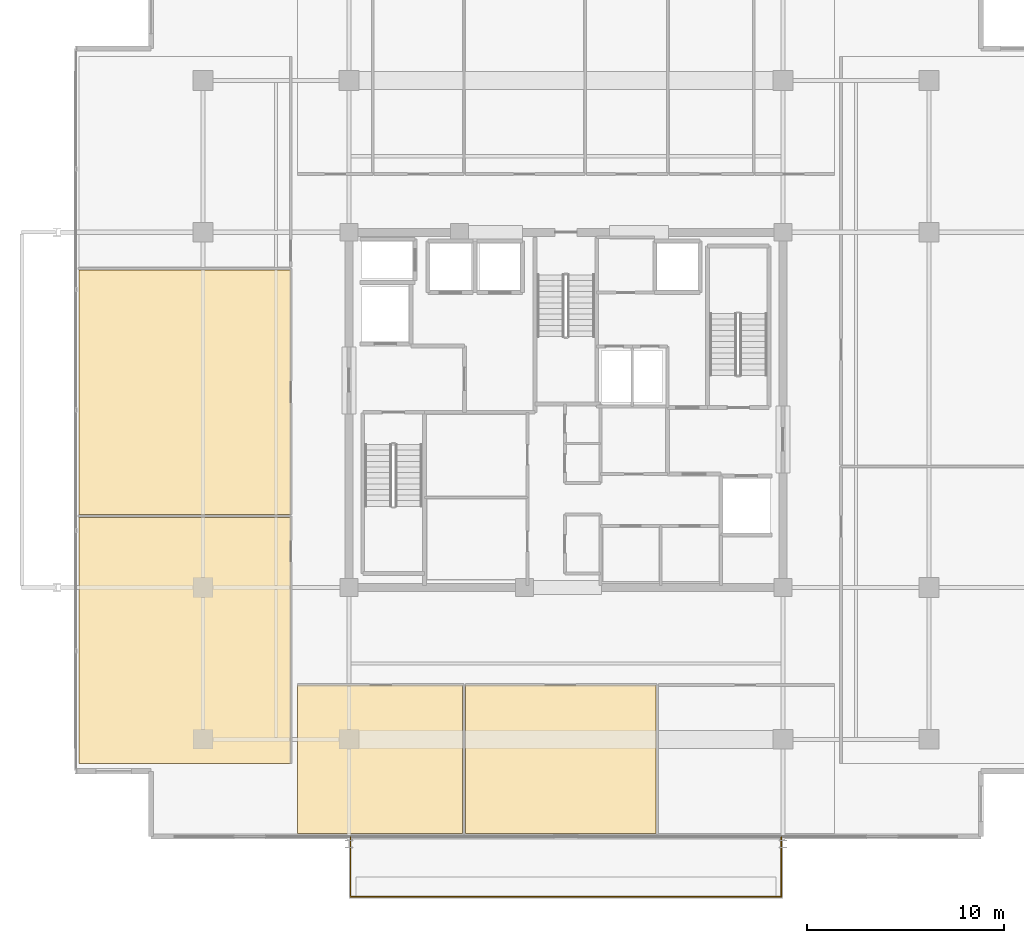
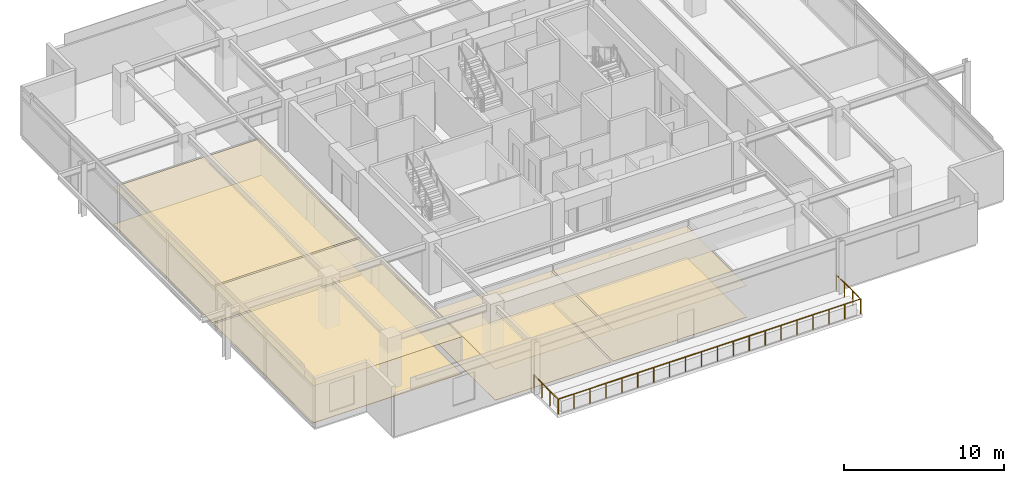
# One storey, part 18 of 21: 8 coverings, 1 railing.
"""IFC4 building model written with IfcOpenShell, lengths in metres."""

import ifcopenshell
import ifcopenshell.guid

model = None  # the IFC model being written
_history = None  # IfcOwnerHistory: only IFC2X3 demands one
_inside = {}  # id of a spatial element -> (the spatial element, [elements in it])
_under = {}  # id of a project, library or spatial element -> (it, [spatial elements below it])
_declared = {}  # id of a project -> (the project, [libraries it declares])
_typed = {}  # id of a type object -> (the type object, [elements of that type])
_made_of = {}  # id of a material, layer set ... -> (it, [elements and type objects made of it])


def new_model(schema):
    """Start an empty IFC model of exactly this schema.

    Asked for "IFC4X3", IfcOpenShell would pick the latest addendum, in which some entities
    have other attributes; the version numbers below select the first issue.
    IFC2X3 requires an IfcOwnerHistory on every rooted entity: one is made here for all.
    """
    global model, _history
    if schema == "IFC4X3":
        model = ifcopenshell.file(schema_version=(4, 3, 0, 0))
    else:
        model = ifcopenshell.file(schema=schema)
    _inside.clear()
    _under.clear()
    _declared.clear()
    _typed.clear()
    _made_of.clear()
    _history = None
    if model.schema == "IFC2X3":
        org = make("IfcOrganization", Name="unknown")
        user = make(
            "IfcPersonAndOrganization",
            ThePerson=make("IfcPerson", FamilyName="unknown"),
            TheOrganization=org,
        )
        app = make(
            "IfcApplication",
            ApplicationDeveloper=org,
            Version="unknown",
            ApplicationFullName="unknown",
            ApplicationIdentifier="unknown",
        )
        _history = make(
            "IfcOwnerHistory",
            OwningUser=user,
            OwningApplication=app,
            ChangeAction="ADDED",
            CreationDate=0,
        )
    return model


def make(cls, **values):
    """One entity of the class cls with the attributes given. An attribute that is None is left unset."""
    return model.create_entity(
        cls, **{name: value for name, value in values.items() if value is not None}
    )


def rooted(cls, **values):
    """An entity with a GlobalId (a new one), such as an element, a storey or a relation."""
    return make(cls, GlobalId=ifcopenshell.guid.new(), OwnerHistory=_history, **values)


def si_unit(unit_type, name, prefix=None):
    """IfcSIUnit, for example si_unit("LENGTHUNIT", "METRE", prefix="MILLI")."""
    return make("IfcSIUnit", UnitType=unit_type, Prefix=prefix, Name=name)


def assignment(units):
    """IfcUnitAssignment: the units of a project."""
    return None if units is None else make("IfcUnitAssignment", Units=units)


def point(xyz):
    """IfcCartesianPoint."""
    return None if xyz is None else make("IfcCartesianPoint", Coordinates=xyz)


def direction(xyz):
    """IfcDirection."""
    return None if xyz is None else make("IfcDirection", DirectionRatios=xyz)


def frame(location, z_axis=None, x_axis=None):
    """IfcAxis2Placement3D, a coordinate frame: its origin and axes. An axis left out is left unset."""
    return make(
        "IfcAxis2Placement3D",
        Location=point(location),
        Axis=direction(z_axis),
        RefDirection=direction(x_axis),
    )


def frame_2d(location, x_axis=None):
    """IfcAxis2Placement2D, a coordinate frame in the plane: its origin and x axis."""
    return make(
        "IfcAxis2Placement2D", Location=point(location), RefDirection=direction(x_axis)
    )


def origin():
    """The frame at (0, 0, 0) with its axes left unset."""
    return frame((0.0, 0.0, 0.0))


def origin_2d():
    """The frame at (0, 0) in the plane with its x axis left unset."""
    return frame_2d((0.0, 0.0))


def place(relative_to, where):
    """IfcLocalPlacement: puts the frame where relative to a parent placement (None: the world)."""
    return make(
        "IfcLocalPlacement", PlacementRelTo=relative_to, RelativePlacement=where
    )


def context(
    kind, dimensions, precision=None, world=None, true_north=None, identifier=None
):
    """IfcGeometricRepresentationContext, for example the 3D "Model" context."""
    return make(
        "IfcGeometricRepresentationContext",
        ContextIdentifier=identifier,
        ContextType=kind,
        CoordinateSpaceDimension=dimensions,
        Precision=precision,
        WorldCoordinateSystem=world,
        TrueNorth=true_north,
    )


def subcontext(parent, identifier, kind, view, scale=None):
    """IfcGeometricRepresentationSubContext, for example "Body" below "Model"."""
    return make(
        "IfcGeometricRepresentationSubContext",
        ContextIdentifier=identifier,
        ContextType=kind,
        ParentContext=parent,
        TargetScale=scale,
        TargetView=view,
    )


def project(units=None, contexts=None):
    """IfcProject with its units and contexts."""
    return rooted(
        "IfcProject",
        Name="project",
        RepresentationContexts=contexts,
        UnitsInContext=assignment(units),
    )


def spatial(cls, under=None, at=None, **own):
    """A site, building, storey or space (cls), placed at a placement, below another one or the project."""
    s = rooted(cls, ObjectPlacement=at, **own)
    if under is not None:
        _under.setdefault(under.id(), (under, []))[1].append(s)
    return s


def polyline(points):
    """IfcPolyline through the points."""
    return make("IfcPolyline", Points=[point(p) for p in points])


def profile(cls, at=None, kind="AREA", **sizes):
    """A parametric profile (cls). Its sizes go by their IFC names, for example OverallWidth=200.0."""
    return make(cls, ProfileType=kind, Position=at, **sizes)


def circle(**sizes):
    """IfcCircleProfileDef."""
    return profile("IfcCircleProfileDef", **sizes)


def outline(outer, holes=None, kind="AREA"):
    """IfcArbitraryClosedProfileDef: a profile drawn as a closed curve; with holes, ...WithVoids."""
    if holes is None:
        return make("IfcArbitraryClosedProfileDef", ProfileType=kind, OuterCurve=outer)
    return make(
        "IfcArbitraryProfileDefWithVoids",
        ProfileType=kind,
        OuterCurve=outer,
        InnerCurves=holes,
    )


def extrude(swept, where, along, depth):
    """IfcExtrudedAreaSolid: the profile swept, set in the frame where, extruded along a direction by depth."""
    return make(
        "IfcExtrudedAreaSolid",
        SweptArea=swept,
        Position=where,
        ExtrudedDirection=direction(along),
        Depth=depth,
    )


def shape(context_of_items, identifier, shape_type, items):
    """IfcShapeRepresentation: the items that make up one representation, for example the "Body"."""
    return make(
        "IfcShapeRepresentation",
        ContextOfItems=context_of_items,
        RepresentationIdentifier=identifier,
        RepresentationType=shape_type,
        Items=items,
    )


def material(Name=None, Category=None):
    """IfcMaterial."""
    return make("IfcMaterial", Name=Name, Category=Category)


def layer(
    of_material, thickness, ventilated=None, Name=None, Category=None, Priority=None
):
    """IfcMaterialLayer: one layer of a wall or slab, of a material (None: an air gap)."""
    return make(
        "IfcMaterialLayer",
        Material=of_material,
        LayerThickness=thickness,
        IsVentilated=ventilated,
        Name=Name,
        Category=Category,
        Priority=Priority,
    )


def layer_set(layers, Name=None):
    """IfcMaterialLayerSet."""
    return make("IfcMaterialLayerSet", MaterialLayers=layers, LayerSetName=Name)


def made_of(thing, what):
    """Note that an element or type object is made of a material, layer set ...; save() writes the relation."""
    if what is not None:
        _made_of.setdefault(what.id(), (what, []))[1].append(thing)
    return thing


def type_object(cls, material=None, **own):
    """A type object (cls), such as IfcWallType, which elements share."""
    return made_of(rooted(cls, **own), material)


def element(
    cls,
    number,
    at=None,
    inside=None,
    cuts=None,
    type_object=None,
    material=None,
    context=None,
    identifier="Body",
    shape_type=None,
    held_by="IfcProductDefinitionShape",
    body=None,
    shapes=None,
    **own,
):
    """One element of the class cls, such as IfcWall. Its Tag is "e" and its number.

    at: its placement. inside: the storey or other place that contains it. cuts: it is an
    opening in that element (IfcRelVoidsElement). A single representation is given by context,
    identifier, shape_type and body (its items); several are given by shapes. held_by: the class
    of the entity that holds the representations. save() writes the other relations.
    """
    e = rooted(cls, Tag="e%d" % number, ObjectPlacement=at, **own)
    if body is not None:
        shapes = [shape(context, identifier, shape_type, body)]
    if shapes is not None:
        e.Representation = make(held_by, Representations=shapes)
    if inside is not None:
        _inside.setdefault(inside.id(), (inside, []))[1].append(e)
    if cuts is not None:
        rooted(
            "IfcRelVoidsElement", RelatingBuildingElement=cuts, RelatedOpeningElement=e
        )
    if type_object is not None:
        _typed.setdefault(type_object.id(), (type_object, []))[1].append(e)
    return made_of(e, material)


def aggregate(whole, parts):
    """IfcRelAggregates: a whole, such as a stair, and the parts it consists of."""
    return rooted("IfcRelAggregates", RelatingObject=whole, RelatedObjects=parts)


def save(model, path):
    """Write the relations noted so far, then the file.

    IfcRelAggregates (storeys below a building ...), IfcRelContainedInSpatialStructure (elements
    in a storey), IfcRelDefinesByType, IfcRelAssociatesMaterial and IfcRelDeclares: one each for
    every whole, place, type object, material and project.
    """
    for whole, parts in _under.values():
        aggregate(whole, parts)
    for where, things in _inside.values():
        rooted(
            "IfcRelContainedInSpatialStructure",
            RelatedElements=things,
            RelatingStructure=where,
        )
    for kind, things in _typed.values():
        rooted("IfcRelDefinesByType", RelatedObjects=things, RelatingType=kind)
    for what, things in _made_of.values():
        rooted("IfcRelAssociatesMaterial", RelatedObjects=things, RelatingMaterial=what)
    for by, libraries in _declared.values():
        rooted("IfcRelDeclares", RelatingContext=by, RelatedDefinitions=libraries)
    model.write(path)


model = new_model("IFC4")

# Units and contexts
model_context = context("Model", 3, precision=1e-05, world=origin(), true_north=direction((0.0, 1.0)))
body_context = subcontext(model_context, "Body", "Model", "MODEL_VIEW")
ifc_project = project(units=[si_unit("LENGTHUNIT", "METRE"), si_unit("AREAUNIT", "SQUARE_METRE"), si_unit("VOLUMEUNIT", "CUBIC_METRE"), si_unit("PLANEANGLEUNIT", "RADIAN"), si_unit("MASSUNIT", "GRAM", prefix="KILO")], contexts=[model_context])

# Site, building, storey
site_placement = place(None, origin())
site = spatial("IfcSite", under=ifc_project, at=site_placement, CompositionType="ELEMENT")
building_placement = place(site_placement, origin())
building = spatial("IfcBuilding", under=site, at=building_placement, Name="Kovane Verandah Tower", CompositionType="ELEMENT")
storey_placement = place(building_placement, frame((0.0, 0.0, 326.800048828125)))
storey = spatial("IfcBuildingStorey", under=building, at=storey_placement, Name="L76", CompositionType="ELEMENT", Elevation=326.800048828125)

# Coverings
ifc_material_1 = material(Name="Perforated Acoustic Mineral-Fibre Ceiling Tile", Category="gypsum")
ifc_layer_1 = layer(ifc_material_1, 0.02490234375)
ifc_layer_set_1 = layer_set([ifc_layer_1], Name="Perforated Acoustic Mineral-Fibre Ceiling Tile")
covering_type_1 = type_object("IfcCoveringType", Name="CV-CEIL-25", PredefinedType="CEILING", material=ifc_layer_set_1)
covering_1_placement = place(storey_placement, frame((0.0, 0.0, 2.389892578125)))
element("IfcCovering", 1, at=covering_1_placement, inside=storey, type_object=covering_type_1, Name="L76 Executive Office S1 Acoustic Ceiling", PredefinedType="CEILING", context=body_context, shape_type="SweptSolid", body=[
    extrude(outline(polyline([(26.39990234375, 6.0341796875), (34.761962890625, 6.0341796875), (34.761962890625, 13.550048828125), (26.39990234375, 13.550048828125), (26.39990234375, 6.0341796875)])), origin(), (0.0, 0.0, 1.0), 0.025146484375),
])
covering_2_placement = place(storey_placement, frame((0.0, 0.0, 2.389892578125)))
element("IfcCovering", 2, at=covering_2_placement, inside=storey, type_object=covering_type_1, Name="L76 Client Boardroom S2 Acoustic Ceiling", PredefinedType="CEILING", context=body_context, shape_type="SweptSolid", body=[
    extrude(outline(polyline([(34.902099609375, 6.0341796875), (44.553955078125, 6.0341796875), (44.553955078125, 13.550048828125), (34.902099609375, 13.550048828125), (34.902099609375, 6.0341796875)])), origin(), (0.0, 0.0, 1.0), 0.025146484375),
])
covering_3_placement = place(storey_placement, frame((0.0, 0.0, 2.824951171875)))
element("IfcCovering", 3, at=covering_3_placement, inside=storey, type_object=covering_type_1, Name="L76 Focus Studio W1 Acoustic Ceiling", PredefinedType="CEILING", context=body_context, shape_type="SweptSolid", body=[
    extrude(outline(polyline([(15.318603515625, 9.584228515625), (26.050048828125, 9.584228515625), (26.050048828125, 22.055419921875), (15.318603515625, 22.055419921875), (15.318603515625, 9.584228515625)])), origin(), (0.0, 0.0, 1.0), 0.02490234375),
])
covering_4_placement = place(storey_placement, frame((0.0, 0.0, 2.824951171875)))
element("IfcCovering", 4, at=covering_4_placement, inside=storey, type_object=covering_type_1, Name="L76 Breakout Pantry W2 Acoustic Ceiling", PredefinedType="CEILING", context=body_context, shape_type="SweptSolid", body=[
    extrude(outline(polyline([(15.318603515625, 22.1953125), (26.050048828125, 22.1953125), (26.050048828125, 34.59619140625), (15.318603515625, 34.59619140625), (15.318603515625, 22.1953125)])), origin(), (0.0, 0.0, 1.0), 0.02490234375),
])
ifc_material_2 = material(Name="Polished Terrazzo and Raised-Access Carpet Tile Finish", Category="concrete")
ifc_layer_2 = layer(ifc_material_2, 0.030029296875)
ifc_layer_set_2 = layer_set([ifc_layer_2], Name="Polished Terrazzo and Raised-Access Carpet Tile Finish")
covering_type_2 = type_object("IfcCoveringType", Name="CV-FLOR-30", PredefinedType="FLOORING", material=ifc_layer_set_2)
covering_5_placement = place(storey_placement, origin())
element("IfcCovering", 5, at=covering_5_placement, inside=storey, type_object=covering_type_2, Name="L76 Executive Office S1 Floor Finish", PredefinedType="FLOORING", context=body_context, shape_type="SweptSolid", body=[
    extrude(outline(polyline([(26.39990234375, 6.0341796875), (34.761962890625, 6.0341796875), (34.761962890625, 13.550048828125), (26.39990234375, 13.550048828125), (26.39990234375, 6.0341796875)])), origin(), (0.0, 0.0, 1.0), 0.030029296875),
])
covering_6_placement = place(storey_placement, origin())
element("IfcCovering", 6, at=covering_6_placement, inside=storey, type_object=covering_type_2, Name="L76 Client Boardroom S2 Floor Finish", PredefinedType="FLOORING", context=body_context, shape_type="SweptSolid", body=[
    extrude(outline(polyline([(34.902099609375, 6.0341796875), (44.553955078125, 6.0341796875), (44.553955078125, 13.550048828125), (34.902099609375, 13.550048828125), (34.902099609375, 6.0341796875)])), origin(), (0.0, 0.0, 1.0), 0.030029296875),
])
covering_7_placement = place(storey_placement, origin())
element("IfcCovering", 7, at=covering_7_placement, inside=storey, type_object=covering_type_2, Name="L76 Focus Studio W1 Floor Finish", PredefinedType="FLOORING", context=body_context, shape_type="SweptSolid", body=[
    extrude(outline(polyline([(15.318603515625, 9.584228515625), (26.050048828125, 9.584228515625), (26.050048828125, 22.055419921875), (15.318603515625, 22.055419921875), (15.318603515625, 9.584228515625)])), origin(), (0.0, 0.0, 1.0), 0.030029296875),
])
covering_8_placement = place(storey_placement, origin())
element("IfcCovering", 8, at=covering_8_placement, inside=storey, type_object=covering_type_2, Name="L76 Breakout Pantry W2 Floor Finish", PredefinedType="FLOORING", context=body_context, shape_type="SweptSolid", body=[
    extrude(outline(polyline([(15.318603515625, 22.1953125), (26.050048828125, 22.1953125), (26.050048828125, 34.59619140625), (15.318603515625, 34.59619140625), (15.318603515625, 22.1953125)])), origin(), (0.0, 0.0, 1.0), 0.030029296875),
])

# Railing
ifc_material_3 = material(Name="Laminated Glass and Pale-Champagne Stainless Balustrade", Category="glass")
railing_type = type_object("IfcRailingType", Name="RL-BAL-1150", PredefinedType="BALUSTRADE", material=ifc_material_3)
railing_placement = place(storey_placement, frame((29.080078125, 5.834228515625, 0.0)))
element("IfcRailing", 9, at=railing_placement, inside=storey, type_object=railing_type, Name="L76 S Verandah Glass Balustrade", PredefinedType="BALUSTRADE", context=body_context, shape_type="SweptSolid", body=[
    extrude(circle(Radius=0.02392578125, at=origin_2d()), frame((0.0, 0.0, 1.1259765625), z_axis=(0.0, -1.0, 0.0), x_axis=(1.0, 0.0, 0.0)), (0.0, 0.0, 1.0), 3.02001953125),
    extrude(circle(Radius=0.02392578125, at=origin_2d()), frame((0.0, -3.02001953125, 1.1259765625), z_axis=(1.0, 0.0, 0.0), x_axis=(0.0, 1.0, 0.0)), (0.0, 0.0, 1.0), 21.83984375),
    extrude(circle(Radius=0.02392578125, at=origin_2d()), frame((21.83984375, -3.02001953125, 1.1259765625), z_axis=(0.0, 1.0, 0.0), x_axis=(-1.0, 0.0, 0.0)), (0.0, 0.0, 1.0), 3.02001953125),
    extrude(circle(Radius=0.02099609375, at=origin_2d()), origin(), (0.0, 0.0, 1.0), 1.101806640625),
    extrude(circle(Radius=0.02099609375, at=origin_2d()), frame((0.0, -1.006591796875, 0.0)), (0.0, 0.0, 1.0), 1.101806640625),
    extrude(circle(Radius=0.02099609375, at=origin_2d()), frame((0.0, -2.013427734375, 0.0)), (0.0, 0.0, 1.0), 1.101806640625),
    extrude(circle(Radius=0.02099609375, at=origin_2d()), frame((0.0, -3.02001953125, 0.0)), (0.0, 0.0, 1.0), 1.101806640625),
    extrude(circle(Radius=0.02099609375, at=origin_2d()), frame((1.1494140625, -3.02001953125, 0.0)), (0.0, 0.0, 1.0), 1.101806640625),
    extrude(circle(Radius=0.02099609375, at=origin_2d()), frame((2.298828125, -3.02001953125, 0.0)), (0.0, 0.0, 1.0), 1.101806640625),
    extrude(circle(Radius=0.02099609375, at=origin_2d()), frame((3.448486328125, -3.02001953125, 0.0)), (0.0, 0.0, 1.0), 1.101806640625),
    extrude(circle(Radius=0.02099609375, at=origin_2d()), frame((4.597900390625, -3.02001953125, 0.0)), (0.0, 0.0, 1.0), 1.101806640625),
    extrude(circle(Radius=0.02099609375, at=origin_2d()), frame((5.747314453125, -3.02001953125, 0.0)), (0.0, 0.0, 1.0), 1.101806640625),
    extrude(circle(Radius=0.02099609375, at=origin_2d()), frame((6.896728515625, -3.02001953125, 0.0)), (0.0, 0.0, 1.0), 1.101806640625),
    extrude(circle(Radius=0.02099609375, at=origin_2d()), frame((8.046142578125, -3.02001953125, 0.0)), (0.0, 0.0, 1.0), 1.101806640625),
    extrude(circle(Radius=0.02099609375, at=origin_2d()), frame((9.19580078125, -3.02001953125, 0.0)), (0.0, 0.0, 1.0), 1.101806640625),
    extrude(circle(Radius=0.02099609375, at=origin_2d()), frame((10.34521484375, -3.02001953125, 0.0)), (0.0, 0.0, 1.0), 1.101806640625),
    extrude(circle(Radius=0.02099609375, at=origin_2d()), frame((11.49462890625, -3.02001953125, 0.0)), (0.0, 0.0, 1.0), 1.101806640625),
    extrude(circle(Radius=0.02099609375, at=origin_2d()), frame((12.64404296875, -3.02001953125, 0.0)), (0.0, 0.0, 1.0), 1.101806640625),
    extrude(circle(Radius=0.02099609375, at=origin_2d()), frame((13.793701171875, -3.02001953125, 0.0)), (0.0, 0.0, 1.0), 1.101806640625),
    extrude(circle(Radius=0.02099609375, at=origin_2d()), frame((14.943115234375, -3.02001953125, 0.0)), (0.0, 0.0, 1.0), 1.101806640625),
    extrude(circle(Radius=0.02099609375, at=origin_2d()), frame((16.092529296875, -3.02001953125, 0.0)), (0.0, 0.0, 1.0), 1.101806640625),
    extrude(circle(Radius=0.02099609375, at=origin_2d()), frame((17.241943359375, -3.02001953125, 0.0)), (0.0, 0.0, 1.0), 1.101806640625),
    extrude(circle(Radius=0.02099609375, at=origin_2d()), frame((18.391357421875, -3.02001953125, 0.0)), (0.0, 0.0, 1.0), 1.101806640625),
    extrude(circle(Radius=0.02099609375, at=origin_2d()), frame((19.541015625, -3.02001953125, 0.0)), (0.0, 0.0, 1.0), 1.101806640625),
    extrude(circle(Radius=0.02099609375, at=origin_2d()), frame((20.6904296875, -3.02001953125, 0.0)), (0.0, 0.0, 1.0), 1.101806640625),
    extrude(circle(Radius=0.02099609375, at=origin_2d()), frame((21.83984375, -3.02001953125, 0.0)), (0.0, 0.0, 1.0), 1.101806640625),
    extrude(circle(Radius=0.02099609375, at=origin_2d()), frame((21.83984375, -2.013427734375, 0.0)), (0.0, 0.0, 1.0), 1.101806640625),
    extrude(circle(Radius=0.02099609375, at=origin_2d()), frame((21.83984375, -1.006591796875, 0.0)), (0.0, 0.0, 1.0), 1.101806640625),
    extrude(circle(Radius=0.02099609375, at=origin_2d()), frame((21.83984375, 0.0, 0.0)), (0.0, 0.0, 1.0), 1.101806640625),
])

save(model, "model.ifc")
